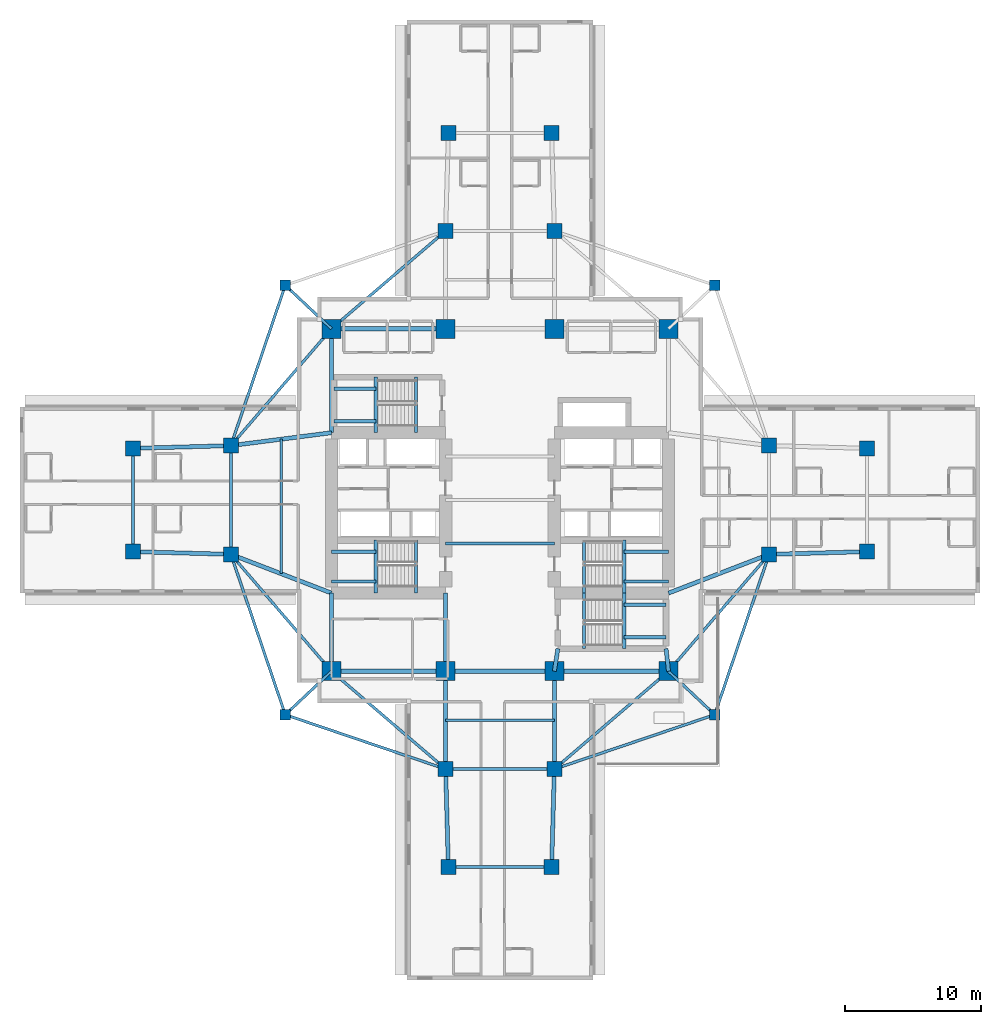
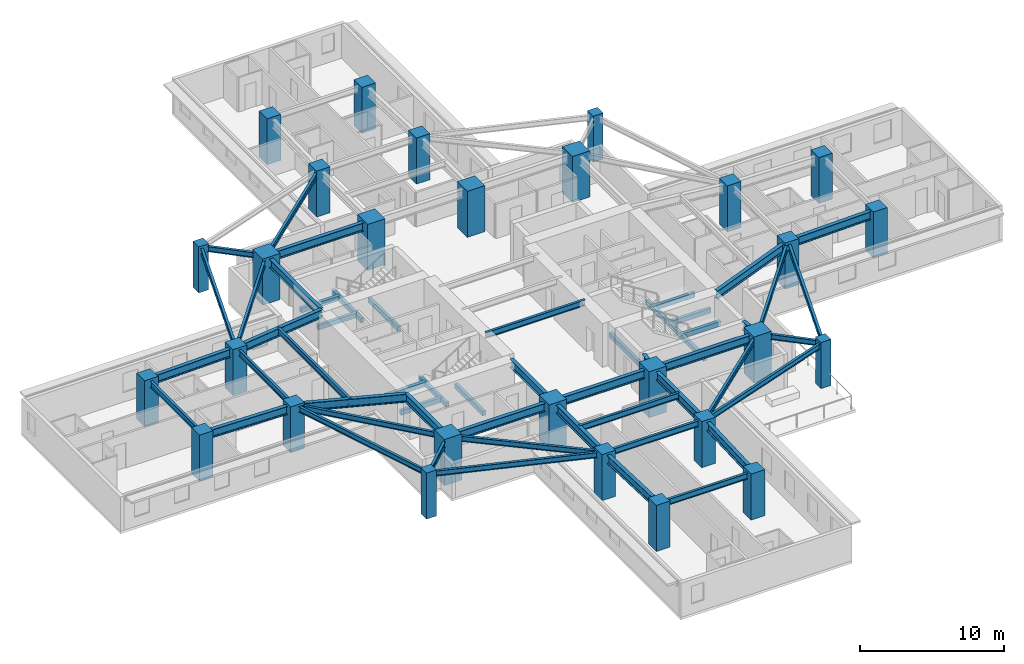
# One storey, part 1 of 13: 56 beams, 28 columns.
"""IFC4 building model written with IfcOpenShell, lengths in metres."""

import ifcopenshell
import ifcopenshell.guid

model = None  # the IFC model being written
_history = None  # IfcOwnerHistory: only IFC2X3 demands one
_inside = {}  # id of a spatial element -> (the spatial element, [elements in it])
_under = {}  # id of a project, library or spatial element -> (it, [spatial elements below it])
_declared = {}  # id of a project -> (the project, [libraries it declares])
_typed = {}  # id of a type object -> (the type object, [elements of that type])
_made_of = {}  # id of a material, layer set ... -> (it, [elements and type objects made of it])


def new_model(schema):
    """Start an empty IFC model of exactly this schema.

    Asked for "IFC4X3", IfcOpenShell would pick the latest addendum, in which some entities
    have other attributes; the version numbers below select the first issue.
    IFC2X3 requires an IfcOwnerHistory on every rooted entity: one is made here for all.
    """
    global model, _history
    if schema == "IFC4X3":
        model = ifcopenshell.file(schema_version=(4, 3, 0, 0))
    else:
        model = ifcopenshell.file(schema=schema)
    _inside.clear()
    _under.clear()
    _declared.clear()
    _typed.clear()
    _made_of.clear()
    _history = None
    if model.schema == "IFC2X3":
        org = make("IfcOrganization", Name="unknown")
        user = make(
            "IfcPersonAndOrganization",
            ThePerson=make("IfcPerson", FamilyName="unknown"),
            TheOrganization=org,
        )
        app = make(
            "IfcApplication",
            ApplicationDeveloper=org,
            Version="unknown",
            ApplicationFullName="unknown",
            ApplicationIdentifier="unknown",
        )
        _history = make(
            "IfcOwnerHistory",
            OwningUser=user,
            OwningApplication=app,
            ChangeAction="ADDED",
            CreationDate=0,
        )
    return model


def make(cls, **values):
    """One entity of the class cls with the attributes given. An attribute that is None is left unset."""
    return model.create_entity(
        cls, **{name: value for name, value in values.items() if value is not None}
    )


def rooted(cls, **values):
    """An entity with a GlobalId (a new one), such as an element, a storey or a relation."""
    return make(cls, GlobalId=ifcopenshell.guid.new(), OwnerHistory=_history, **values)


def si_unit(unit_type, name, prefix=None):
    """IfcSIUnit, for example si_unit("LENGTHUNIT", "METRE", prefix="MILLI")."""
    return make("IfcSIUnit", UnitType=unit_type, Prefix=prefix, Name=name)


def assignment(units):
    """IfcUnitAssignment: the units of a project."""
    return None if units is None else make("IfcUnitAssignment", Units=units)


def point(xyz):
    """IfcCartesianPoint."""
    return None if xyz is None else make("IfcCartesianPoint", Coordinates=xyz)


def direction(xyz):
    """IfcDirection."""
    return None if xyz is None else make("IfcDirection", DirectionRatios=xyz)


def frame(location, z_axis=None, x_axis=None):
    """IfcAxis2Placement3D, a coordinate frame: its origin and axes. An axis left out is left unset."""
    return make(
        "IfcAxis2Placement3D",
        Location=point(location),
        Axis=direction(z_axis),
        RefDirection=direction(x_axis),
    )


def frame_2d(location, x_axis=None):
    """IfcAxis2Placement2D, a coordinate frame in the plane: its origin and x axis."""
    return make(
        "IfcAxis2Placement2D", Location=point(location), RefDirection=direction(x_axis)
    )


def origin():
    """The frame at (0, 0, 0) with its axes left unset."""
    return frame((0.0, 0.0, 0.0))


def origin_2d():
    """The frame at (0, 0) in the plane with its x axis left unset."""
    return frame_2d((0.0, 0.0))


def place(relative_to, where):
    """IfcLocalPlacement: puts the frame where relative to a parent placement (None: the world)."""
    return make(
        "IfcLocalPlacement", PlacementRelTo=relative_to, RelativePlacement=where
    )


def context(
    kind, dimensions, precision=None, world=None, true_north=None, identifier=None
):
    """IfcGeometricRepresentationContext, for example the 3D "Model" context."""
    return make(
        "IfcGeometricRepresentationContext",
        ContextIdentifier=identifier,
        ContextType=kind,
        CoordinateSpaceDimension=dimensions,
        Precision=precision,
        WorldCoordinateSystem=world,
        TrueNorth=true_north,
    )


def subcontext(parent, identifier, kind, view, scale=None):
    """IfcGeometricRepresentationSubContext, for example "Body" below "Model"."""
    return make(
        "IfcGeometricRepresentationSubContext",
        ContextIdentifier=identifier,
        ContextType=kind,
        ParentContext=parent,
        TargetScale=scale,
        TargetView=view,
    )


def project(units=None, contexts=None):
    """IfcProject with its units and contexts."""
    return rooted(
        "IfcProject",
        Name="project",
        RepresentationContexts=contexts,
        UnitsInContext=assignment(units),
    )


def spatial(cls, under=None, at=None, **own):
    """A site, building, storey or space (cls), placed at a placement, below another one or the project."""
    s = rooted(cls, ObjectPlacement=at, **own)
    if under is not None:
        _under.setdefault(under.id(), (under, []))[1].append(s)
    return s


def profile(cls, at=None, kind="AREA", **sizes):
    """A parametric profile (cls). Its sizes go by their IFC names, for example OverallWidth=200.0."""
    return make(cls, ProfileType=kind, Position=at, **sizes)


def rectangle(**sizes):
    """IfcRectangleProfileDef."""
    return profile("IfcRectangleProfileDef", **sizes)


def i_section(**sizes):
    """IfcIShapeProfileDef."""
    return profile("IfcIShapeProfileDef", **sizes)


def extrude(swept, where, along, depth):
    """IfcExtrudedAreaSolid: the profile swept, set in the frame where, extruded along a direction by depth."""
    return make(
        "IfcExtrudedAreaSolid",
        SweptArea=swept,
        Position=where,
        ExtrudedDirection=direction(along),
        Depth=depth,
    )


def shape(context_of_items, identifier, shape_type, items):
    """IfcShapeRepresentation: the items that make up one representation, for example the "Body"."""
    return make(
        "IfcShapeRepresentation",
        ContextOfItems=context_of_items,
        RepresentationIdentifier=identifier,
        RepresentationType=shape_type,
        Items=items,
    )


def material(Name=None, Category=None):
    """IfcMaterial."""
    return make("IfcMaterial", Name=Name, Category=Category)


def material_profile(
    of_material, cross_section, Name=None, Category=None, Priority=None
):
    """IfcMaterialProfile: a cross section and its material."""
    return make(
        "IfcMaterialProfile",
        Name=Name,
        Material=of_material,
        Profile=cross_section,
        Priority=Priority,
        Category=Category,
    )


def profile_set(profiles, Name=None, composite=None):
    """IfcMaterialProfileSet."""
    return make(
        "IfcMaterialProfileSet",
        Name=Name,
        MaterialProfiles=profiles,
        CompositeProfile=composite,
    )


def made_of(thing, what):
    """Note that an element or type object is made of a material, layer set ...; save() writes the relation."""
    if what is not None:
        _made_of.setdefault(what.id(), (what, []))[1].append(thing)
    return thing


def type_object(cls, material=None, **own):
    """A type object (cls), such as IfcWallType, which elements share."""
    return made_of(rooted(cls, **own), material)


def element(
    cls,
    number,
    at=None,
    inside=None,
    cuts=None,
    type_object=None,
    material=None,
    context=None,
    identifier="Body",
    shape_type=None,
    held_by="IfcProductDefinitionShape",
    body=None,
    shapes=None,
    **own,
):
    """One element of the class cls, such as IfcWall. Its Tag is "e" and its number.

    at: its placement. inside: the storey or other place that contains it. cuts: it is an
    opening in that element (IfcRelVoidsElement). A single representation is given by context,
    identifier, shape_type and body (its items); several are given by shapes. held_by: the class
    of the entity that holds the representations. save() writes the other relations.
    """
    e = rooted(cls, Tag="e%d" % number, ObjectPlacement=at, **own)
    if body is not None:
        shapes = [shape(context, identifier, shape_type, body)]
    if shapes is not None:
        e.Representation = make(held_by, Representations=shapes)
    if inside is not None:
        _inside.setdefault(inside.id(), (inside, []))[1].append(e)
    if cuts is not None:
        rooted(
            "IfcRelVoidsElement", RelatingBuildingElement=cuts, RelatedOpeningElement=e
        )
    if type_object is not None:
        _typed.setdefault(type_object.id(), (type_object, []))[1].append(e)
    return made_of(e, material)


def aggregate(whole, parts):
    """IfcRelAggregates: a whole, such as a stair, and the parts it consists of."""
    return rooted("IfcRelAggregates", RelatingObject=whole, RelatedObjects=parts)


def save(model, path):
    """Write the relations noted so far, then the file.

    IfcRelAggregates (storeys below a building ...), IfcRelContainedInSpatialStructure (elements
    in a storey), IfcRelDefinesByType, IfcRelAssociatesMaterial and IfcRelDeclares: one each for
    every whole, place, type object, material and project.
    """
    for whole, parts in _under.values():
        aggregate(whole, parts)
    for where, things in _inside.values():
        rooted(
            "IfcRelContainedInSpatialStructure",
            RelatedElements=things,
            RelatingStructure=where,
        )
    for kind, things in _typed.values():
        rooted("IfcRelDefinesByType", RelatedObjects=things, RelatingType=kind)
    for what, things in _made_of.values():
        rooted("IfcRelAssociatesMaterial", RelatedObjects=things, RelatingMaterial=what)
    for by, libraries in _declared.values():
        rooted("IfcRelDeclares", RelatingContext=by, RelatedDefinitions=libraries)
    model.write(path)


model = new_model("IFC4")

# Units and contexts
model_context = context("Model", 3, precision=1e-05, world=origin(), true_north=direction((0.0, 1.0)))
body_context = subcontext(model_context, "Body", "Model", "MODEL_VIEW")
ifc_project = project(units=[si_unit("LENGTHUNIT", "METRE"), si_unit("AREAUNIT", "SQUARE_METRE"), si_unit("VOLUMEUNIT", "CUBIC_METRE"), si_unit("PLANEANGLEUNIT", "RADIAN"), si_unit("MASSUNIT", "GRAM", prefix="KILO")], contexts=[model_context])

# Site, building, storey
site_placement = place(None, origin())
site = spatial("IfcSite", under=ifc_project, at=site_placement, CompositionType="ELEMENT")
building_placement = place(site_placement, origin())
building = spatial("IfcBuilding", under=site, at=building_placement, Name="Qingluan Cross Belvedere", CompositionType="ELEMENT")
storey_placement = place(building_placement, frame((0.0, 0.0, 63.89990234375)))
storey = spatial("IfcBuildingStorey", under=building, at=storey_placement, Name="L16", CompositionType="ELEMENT", Elevation=63.89990234375)

# Columns
ifc_material_1 = material(Name="Concrete C60", Category="concrete")
ifc_material_profile_1 = material_profile(ifc_material_1, rectangle(XDim=1.10009765625, YDim=1.10009765625, at=origin_2d()), Name="RC1100x1100")
ifc_profile_set_1 = profile_set([ifc_material_profile_1], Name="Concrete C60")
column_type_1 = type_object("IfcColumnType", Name="Column_RC1100x1100", PredefinedType="COLUMN", material=ifc_profile_set_1)
for number, where, z_axis, x_axis, name in (
    (1, (19.800048828125, -4.0, 0.0), (0.0, 0.0, 1.0), (1.0, 0.0, 0.0), "Arm column L16-EIA"),
    (2, (19.800048828125, 4.0, 0.0), (0.0, 0.0, 1.0), (1.0, 0.0, 0.0), "Arm column L16-EIB"),
    (3, (-19.800048828125, -4.0, 0.0), (0.0, 0.0, 1.0), (1.0, 0.0, 0.0), "Arm column L16-WIA"),
    (4, (-19.800048828125, 4.0, 0.0), (0.0, 0.0, 1.0), (1.0, 0.0, 0.0), "Arm column L16-WIB"),
    (5, (-4.0, -19.800048828125, 0.0), (0.0, 0.0, 1.0), (1.0, 0.0, 0.0), "Arm column L16-SIA"),
    (6, (4.0, -19.800048828125, 0.0), (0.0, 0.0, 1.0), (1.0, 0.0, 0.0), "Arm column L16-SIB"),
    (7, (-4.0, 19.800048828125, 0.0), (0.0, 0.0, 1.0), (1.0, 0.0, 0.0), "Arm column L16-NIA"),
    (8, (4.0, 19.800048828125, 0.0), (0.0, 0.0, 1.0), (1.0, 0.0, 0.0), "Arm column L16-NIB"),
    (9, (27.0, -3.800048828125, 0.0), (0.0, 0.0, 1.0), (1.0, 0.0, 0.0), "Arm column L16-EOA"),
    (10, (27.0, 3.800048828125, 0.0), (0.0, 0.0, 1.0), (1.0, 0.0, 0.0), "Arm column L16-EOB"),
    (11, (-27.0, -3.800048828125, 0.0), (0.0, 0.0, 1.0), (1.0, 0.0, 0.0), "Arm column L16-WOA"),
    (12, (-27.0, 3.800048828125, 0.0), (0.0, 0.0, 1.0), (1.0, 0.0, 0.0), "Arm column L16-WOB"),
    (13, (-3.800048828125, -27.0, 0.0), (0.0, 0.0, 1.0), (1.0, 0.0, 0.0), "Arm column L16-SOA"),
    (14, (3.800048828125, -27.0, 0.0), (0.0, 0.0, 1.0), (1.0, 0.0, 0.0), "Arm column L16-SOB"),
    (15, (-3.800048828125, 27.0, 0.0), (0.0, 0.0, 1.0), (1.0, 0.0, 0.0), "Arm column L16-NOA"),
    (16, (3.800048828125, 27.0, 0.0), (0.0, 0.0, 1.0), (1.0, 0.0, 0.0), "Arm column L16-NOB"),
):
    element("IfcColumn", number, at=place(storey_placement, frame(where, z_axis=z_axis, x_axis=x_axis)), inside=storey, type_object=column_type_1, Name=name, PredefinedType="COLUMN", context=body_context, shape_type="SweptSolid", body=[
        extrude(rectangle(XDim=1.10009765625, YDim=1.10009765625, at=origin_2d()), origin(), (0.0, 0.0, 1.0), 3.900146484375),
    ])
ifc_material_2 = material(Name="Concrete C70", Category="concrete")
ifc_material_profile_2 = material_profile(ifc_material_2, rectangle(XDim=1.39990234375, YDim=1.39990234375, at=origin_2d()), Name="RC1400x1400")
ifc_profile_set_2 = profile_set([ifc_material_profile_2], Name="Concrete C70")
column_type_2 = type_object("IfcColumnType", Name="Column_RC1400x1400", PredefinedType="COLUMN", material=ifc_profile_set_2)
for number, where, z_axis, x_axis, name in (
    (17, (-12.39990234375, -12.60009765625, 0.0), (0.0, 0.0, 1.0), (1.0, 0.0, 0.0), "Hub column L16-HC1"),
    (18, (12.39990234375, -12.60009765625, 0.0), (0.0, 0.0, 1.0), (1.0, 0.0, 0.0), "Hub column L16-HC2"),
    (19, (12.39990234375, 12.60009765625, 0.0), (0.0, 0.0, 1.0), (1.0, 0.0, 0.0), "Hub column L16-HC3"),
    (20, (-12.39990234375, 12.60009765625, 0.0), (0.0, 0.0, 1.0), (1.0, 0.0, 0.0), "Hub column L16-HC4"),
    (21, (-4.0, -12.60009765625, 0.0), (0.0, 0.0, 1.0), (1.0, 0.0, 0.0), "Hub column L16-HC5"),
    (22, (4.0, -12.60009765625, 0.0), (0.0, 0.0, 1.0), (1.0, 0.0, 0.0), "Hub column L16-HC6"),
    (23, (4.0, 12.60009765625, 0.0), (0.0, 0.0, 1.0), (1.0, 0.0, 0.0), "Hub column L16-HC7"),
    (24, (-4.0, 12.60009765625, 0.0), (0.0, 0.0, 1.0), (1.0, 0.0, 0.0), "Hub column L16-HC8"),
):
    element("IfcColumn", number, at=place(storey_placement, frame(where, z_axis=z_axis, x_axis=x_axis)), inside=storey, type_object=column_type_2, Name=name, PredefinedType="COLUMN", context=body_context, shape_type="SweptSolid", body=[
        extrude(rectangle(XDim=1.39990234375, YDim=1.39990234375, at=origin_2d()), origin(), (0.0, 0.0, 1.0), 3.900146484375),
    ])
ifc_material_3 = material(Name="Concrete C50", Category="concrete")
ifc_material_profile_3 = material_profile(ifc_material_3, rectangle(XDim=0.800048828125, YDim=0.800048828125, at=origin_2d()), Name="RC800x800")
ifc_profile_set_3 = profile_set([ifc_material_profile_3], Name="Concrete C50")
column_type_3 = type_object("IfcColumnType", Name="Column_RC800x800", PredefinedType="COLUMN", material=ifc_profile_set_3)
for number, where, z_axis, x_axis, name in (
    (25, (15.800048828125, 15.800048828125, 0.0), (0.0, 0.0, 1.0), (1.0, 0.0, 0.0), "Corner column L16-RNE"),
    (26, (-15.800048828125, 15.800048828125, 0.0), (0.0, 0.0, 1.0), (1.0, 0.0, 0.0), "Corner column L16-RNW"),
    (27, (-15.800048828125, -15.800048828125, 0.0), (0.0, 0.0, 1.0), (1.0, 0.0, 0.0), "Corner column L16-RSW"),
    (28, (15.800048828125, -15.800048828125, 0.0), (0.0, 0.0, 1.0), (1.0, 0.0, 0.0), "Corner column L16-RSE"),
):
    element("IfcColumn", number, at=place(storey_placement, frame(where, z_axis=z_axis, x_axis=x_axis)), inside=storey, type_object=column_type_3, Name=name, PredefinedType="COLUMN", context=body_context, shape_type="SweptSolid", body=[
        extrude(rectangle(XDim=0.800048828125, YDim=0.800048828125, at=origin_2d()), origin(), (0.0, 0.0, 1.0), 3.900146484375),
    ])

# Beams
ifc_material_4 = material(Name="Concrete C45", Category="concrete")
ifc_material_profile_4 = material_profile(ifc_material_4, rectangle(XDim=0.25, YDim=0.39990234375, at=origin_2d()), Name="RC250x400")
ifc_profile_set_4 = profile_set([ifc_material_profile_4], Name="Concrete C45")
beam_type_1 = type_object("IfcBeamType", Name="RC_Lintel_RC250x400", PredefinedType="LINTEL", material=ifc_profile_set_4)
for number, where, z_axis, x_axis, name in (
    (29, (-6.179931640625, -6.85009765625, -0.199951171875), (0.0, 1.0, 0.0), (-1.0, 0.0, 0.0), "Stair ST1 landing beam L16"),
    (30, (6.179931640625, -6.85009765625, -0.199951171875), (0.0, 1.0, 0.0), (-1.0, 0.0, 0.0), "Stair ST2 landing beam L16"),
):
    element("IfcBeam", number, at=place(storey_placement, frame(where, z_axis=z_axis, x_axis=x_axis)), inside=storey, type_object=beam_type_1, Name=name, PredefinedType="LINTEL", context=body_context, shape_type="SweptSolid", body=[
        extrude(rectangle(XDim=0.25, YDim=0.39990234375, at=origin_2d()), origin(), (0.0, 0.0, 1.0), 3.89013671875),
    ])
beam_1_placement = place(storey_placement, frame((-6.179931640625, 4.949951171875, -0.199951171875), z_axis=(0.0, 1.0, 0.0), x_axis=(-1.0, 0.0, 0.0)))
element("IfcBeam", 31, at=beam_1_placement, inside=storey, type_object=beam_type_1, Name="Stair ST3 landing beam L16", PredefinedType="LINTEL", context=body_context, shape_type="SweptSolid", body=[
    extrude(rectangle(XDim=0.25, YDim=0.39990234375, at=origin_2d()), origin(), (0.0, 0.0, 1.0), 4.090087890625),
])
beam_2_placement = place(storey_placement, frame((6.179931640625, -10.93994140625, -0.199951171875), z_axis=(0.0, 1.0, 0.0), x_axis=(-1.0, 0.0, 0.0)))
element("IfcBeam", 32, at=beam_2_placement, inside=storey, type_object=beam_type_1, Name="Stair ST4 landing beam L16", PredefinedType="LINTEL", context=body_context, shape_type="SweptSolid", body=[
    extrude(rectangle(XDim=0.25, YDim=0.39990234375, at=origin_2d()), origin(), (0.0, 0.0, 1.0), 4.08984375),
])
beam_3_placement = place(storey_placement, frame((-9.1298828125, -6.85009765625, 1.550048828125), z_axis=(0.0, 1.0, 0.0), x_axis=(-1.0, 0.0, 0.0)))
element("IfcBeam", 33, at=beam_3_placement, inside=storey, type_object=beam_type_1, Name="Stair ST1 beam A L16", PredefinedType="LINTEL", context=body_context, shape_type="SweptSolid", body=[
    extrude(rectangle(XDim=0.25, YDim=0.39990234375, at=origin_2d()), origin(), (0.0, 0.0, 1.0), 3.89013671875),
])
for number, where, z_axis, x_axis, name in (
    (34, (-12.39990234375, -6.0, 1.550048828125), (1.0, 0.0, 0.0), (0.0, 1.0, 0.0), "Stair ST1 beam B L16"),
    (35, (-12.39990234375, -3.81005859375, 1.550048828125), (1.0, 0.0, 0.0), (0.0, 1.0, 0.0), "Stair ST1 beam C L16"),
):
    element("IfcBeam", number, at=place(storey_placement, frame(where, z_axis=z_axis, x_axis=x_axis)), inside=storey, type_object=beam_type_1, Name=name, PredefinedType="LINTEL", context=body_context, shape_type="SweptSolid", body=[
        extrude(rectangle(XDim=0.25, YDim=0.39990234375, at=origin_2d()), origin(), (0.0, 0.0, 1.0), 3.27001953125),
    ])
beam_4_placement = place(storey_placement, frame((9.1298828125, -6.85009765625, 1.550048828125), z_axis=(0.0, 1.0, 0.0), x_axis=(-1.0, 0.0, 0.0)))
element("IfcBeam", 36, at=beam_4_placement, inside=storey, type_object=beam_type_1, Name="Stair ST2 beam A L16", PredefinedType="LINTEL", context=body_context, shape_type="SweptSolid", body=[
    extrude(rectangle(XDim=0.25, YDim=0.39990234375, at=origin_2d()), origin(), (0.0, 0.0, 1.0), 3.89013671875),
])
for number, where, z_axis, x_axis, name in (
    (37, (12.39990234375, -6.0, 1.550048828125), (-1.0, 0.0, 0.0), (0.0, -1.0, 0.0), "Stair ST2 beam B L16"),
    (38, (12.39990234375, -3.81005859375, 1.550048828125), (-1.0, 0.0, 0.0), (0.0, -1.0, 0.0), "Stair ST2 beam C L16"),
):
    element("IfcBeam", number, at=place(storey_placement, frame(where, z_axis=z_axis, x_axis=x_axis)), inside=storey, type_object=beam_type_1, Name=name, PredefinedType="LINTEL", context=body_context, shape_type="SweptSolid", body=[
        extrude(rectangle(XDim=0.25, YDim=0.39990234375, at=origin_2d()), origin(), (0.0, 0.0, 1.0), 3.27001953125),
    ])
beam_5_placement = place(storey_placement, frame((-9.1298828125, 4.949951171875, 1.550048828125), z_axis=(0.0, 1.0, 0.0), x_axis=(-1.0, 0.0, 0.0)))
element("IfcBeam", 39, at=beam_5_placement, inside=storey, type_object=beam_type_1, Name="Stair ST3 beam A L16", PredefinedType="LINTEL", context=body_context, shape_type="SweptSolid", body=[
    extrude(rectangle(XDim=0.25, YDim=0.39990234375, at=origin_2d()), origin(), (0.0, 0.0, 1.0), 4.090087890625),
])
for number, where, z_axis, x_axis, name in (
    (40, (-12.219970703125, 5.800048828125, 1.550048828125), (1.0, 0.0, 0.0), (0.0, 1.0, 0.0), "Stair ST3 beam B L16"),
    (41, (-12.219970703125, 8.18994140625, 1.550048828125), (1.0, 0.0, 0.0), (0.0, 1.0, 0.0), "Stair ST3 beam C L16"),
):
    element("IfcBeam", number, at=place(storey_placement, frame(where, z_axis=z_axis, x_axis=x_axis)), inside=storey, type_object=beam_type_1, Name=name, PredefinedType="LINTEL", context=body_context, shape_type="SweptSolid", body=[
        extrude(rectangle(XDim=0.25, YDim=0.39990234375, at=origin_2d()), origin(), (0.0, 0.0, 1.0), 3.090087890625),
    ])
beam_6_placement = place(storey_placement, frame((9.1298828125, -10.93994140625, 1.550048828125), z_axis=(0.0, 1.0, 0.0), x_axis=(-1.0, 0.0, 0.0)))
element("IfcBeam", 42, at=beam_6_placement, inside=storey, type_object=beam_type_1, Name="Stair ST4 beam A L16", PredefinedType="LINTEL", context=body_context, shape_type="SweptSolid", body=[
    extrude(rectangle(XDim=0.25, YDim=0.39990234375, at=origin_2d()), origin(), (0.0, 0.0, 1.0), 4.08984375),
])
for number, where, z_axis, x_axis, name in (
    (43, (12.219970703125, -10.090087890625, 1.550048828125), (-1.0, 0.0, 0.0), (0.0, -1.0, 0.0), "Stair ST4 beam B L16"),
    (44, (12.219970703125, -7.699951171875, 1.550048828125), (-1.0, 0.0, 0.0), (0.0, -1.0, 0.0), "Stair ST4 beam C L16"),
):
    element("IfcBeam", number, at=place(storey_placement, frame(where, z_axis=z_axis, x_axis=x_axis)), inside=storey, type_object=beam_type_1, Name=name, PredefinedType="LINTEL", context=body_context, shape_type="SweptSolid", body=[
        extrude(rectangle(XDim=0.25, YDim=0.39990234375, at=origin_2d()), origin(), (0.0, 0.0, 1.0), 3.090087890625),
    ])
ifc_material_5 = material(Name="Steel Q420GJB", Category="steel")
ifc_material_profile_5 = material_profile(ifc_material_5, i_section(OverallWidth=0.199951171875, OverallDepth=0.449951171875, WebThickness=0.009033203125, FlangeThickness=0.013916015625, FilletRadius=0.01611328125, at=origin_2d()), Name="HN450x200x9x14")
ifc_profile_set_5 = profile_set([ifc_material_profile_5], Name="Steel Q420GJB")
beam_type_2 = type_object("IfcBeamType", Name="Steel_Beam_HN450x200x9x14", PredefinedType="JOIST", material=ifc_profile_set_5)
beam_7_placement = place(storey_placement, frame((-12.39990234375, 12.60009765625, 3.47509765625), z_axis=(-0.728219948308, 0.685343495546, 0.0), x_axis=(-0.685343495546, -0.728219948308, 0.0)))
element("IfcBeam", 45, at=beam_7_placement, inside=storey, type_object=beam_type_2, Name="Corner beam 1 L16-RNW", PredefinedType="JOIST", context=body_context, shape_type="SweptSolid", body=[
    extrude(i_section(OverallWidth=0.199951171875, OverallDepth=0.449951171875, WebThickness=0.009033203125, FlangeThickness=0.013916015625, FilletRadius=0.01611328125, at=origin_2d()), origin(), (0.0, 0.0, 1.0), 4.669189453125),
])
beam_8_placement = place(storey_placement, frame((-15.800048828125, 15.800048828125, 3.47509765625), z_axis=(-0.321038089628, -0.947066283324, 0.0), x_axis=(0.947066283324, -0.321038089628, 0.0)))
element("IfcBeam", 46, at=beam_8_placement, inside=storey, type_object=beam_type_2, Name="Corner beam 3 L16-RNW", PredefinedType="JOIST", context=body_context, shape_type="SweptSolid", body=[
    extrude(i_section(OverallWidth=0.199951171875, OverallDepth=0.449951171875, WebThickness=0.009033203125, FlangeThickness=0.013916015625, FilletRadius=0.01611328125, at=origin_2d()), origin(), (0.0, 0.0, 1.0), 12.45947265625),
])
beam_9_placement = place(storey_placement, frame((-12.39990234375, 12.60009765625, 3.47509765625), z_axis=(-0.652245077546, -0.75800815221, 0.0), x_axis=(0.75800815221, -0.652245077546, 0.0)))
element("IfcBeam", 47, at=beam_9_placement, inside=storey, type_object=beam_type_2, Name="Corner beam 4 L16-RNW", PredefinedType="JOIST", context=body_context, shape_type="SweptSolid", body=[
    extrude(i_section(OverallWidth=0.199951171875, OverallDepth=0.449951171875, WebThickness=0.009033203125, FlangeThickness=0.013916015625, FilletRadius=0.01611328125, at=origin_2d()), origin(), (0.0, 0.0, 1.0), 11.345703125),
])
beam_10_placement = place(storey_placement, frame((-12.39990234375, 12.60009765625, 3.47509765625), z_axis=(0.759255044656, 0.650793190779, 0.0), x_axis=(-0.650793190779, 0.759255044656, 0.0)))
element("IfcBeam", 48, at=beam_10_placement, inside=storey, type_object=beam_type_2, Name="Corner beam 5 L16-RNW", PredefinedType="JOIST", context=body_context, shape_type="SweptSolid", body=[
    extrude(i_section(OverallWidth=0.199951171875, OverallDepth=0.449951171875, WebThickness=0.009033203125, FlangeThickness=0.013916015625, FilletRadius=0.01611328125, at=origin_2d()), origin(), (0.0, 0.0, 1.0), 11.063232421875),
])
beam_11_placement = place(storey_placement, frame((-12.39990234375, -12.60009765625, 3.47509765625), z_axis=(-0.728219948308, -0.685343495546, 0.0), x_axis=(0.685343495546, -0.728219948308, 0.0)))
element("IfcBeam", 49, at=beam_11_placement, inside=storey, type_object=beam_type_2, Name="Corner beam 1 L16-RSW", PredefinedType="JOIST", context=body_context, shape_type="SweptSolid", body=[
    extrude(i_section(OverallWidth=0.199951171875, OverallDepth=0.449951171875, WebThickness=0.009033203125, FlangeThickness=0.013916015625, FilletRadius=0.01611328125, at=origin_2d()), origin(), (0.0, 0.0, 1.0), 4.669189453125),
])
for number, where, z_axis, x_axis, name in (
    (50, (-15.800048828125, -15.800048828125, 3.47509765625), (0.947066283324, -0.321038089628, 0.0), (0.321038089628, 0.947066283324, 0.0), "Corner beam 2 L16-RSW"),
    (51, (-15.800048828125, -15.800048828125, 3.47509765625), (-0.321038089628, 0.947066283324, 0.0), (-0.947066283324, -0.321038089628, 0.0), "Corner beam 3 L16-RSW"),
):
    element("IfcBeam", number, at=place(storey_placement, frame(where, z_axis=z_axis, x_axis=x_axis)), inside=storey, type_object=beam_type_2, Name=name, PredefinedType="JOIST", context=body_context, shape_type="SweptSolid", body=[
        extrude(i_section(OverallWidth=0.199951171875, OverallDepth=0.449951171875, WebThickness=0.009033203125, FlangeThickness=0.013916015625, FilletRadius=0.01611328125, at=origin_2d()), origin(), (0.0, 0.0, 1.0), 12.45947265625),
    ])
beam_12_placement = place(storey_placement, frame((-12.39990234375, -12.60009765625, 3.47509765625), z_axis=(-0.652245077546, 0.75800815221, 0.0), x_axis=(-0.75800815221, -0.652245077546, 0.0)))
element("IfcBeam", 52, at=beam_12_placement, inside=storey, type_object=beam_type_2, Name="Corner beam 4 L16-RSW", PredefinedType="JOIST", context=body_context, shape_type="SweptSolid", body=[
    extrude(i_section(OverallWidth=0.199951171875, OverallDepth=0.449951171875, WebThickness=0.009033203125, FlangeThickness=0.013916015625, FilletRadius=0.01611328125, at=origin_2d()), origin(), (0.0, 0.0, 1.0), 11.345703125),
])
beam_13_placement = place(storey_placement, frame((-12.39990234375, -12.60009765625, 3.47509765625), z_axis=(0.759255044656, -0.650793190779, 0.0), x_axis=(0.650793190779, 0.759255044656, 0.0)))
element("IfcBeam", 53, at=beam_13_placement, inside=storey, type_object=beam_type_2, Name="Corner beam 5 L16-RSW", PredefinedType="JOIST", context=body_context, shape_type="SweptSolid", body=[
    extrude(i_section(OverallWidth=0.199951171875, OverallDepth=0.449951171875, WebThickness=0.009033203125, FlangeThickness=0.013916015625, FilletRadius=0.01611328125, at=origin_2d()), origin(), (0.0, 0.0, 1.0), 11.063232421875),
])
beam_14_placement = place(storey_placement, frame((12.39990234375, -12.60009765625, 3.455078125), z_axis=(0.728219948308, -0.685343495546, 0.0), x_axis=(0.685343495546, 0.728219948308, 0.0)))
element("IfcBeam", 54, at=beam_14_placement, inside=storey, type_object=beam_type_2, Name="Corner beam 1 L16-RSE", PredefinedType="JOIST", context=body_context, shape_type="SweptSolid", body=[
    extrude(i_section(OverallWidth=0.199951171875, OverallDepth=0.449951171875, WebThickness=0.009033203125, FlangeThickness=0.013916015625, FilletRadius=0.01611328125, at=origin_2d()), origin(), (0.0, 0.0, 1.0), 4.669189453125),
])
for number, where, z_axis, x_axis, name in (
    (55, (15.800048828125, -15.800048828125, 3.455078125), (-0.947066283324, -0.321038089628, 0.0), (0.321038089628, -0.947066283324, 0.0), "Corner beam 2 L16-RSE"),
    (56, (15.800048828125, -15.800048828125, 3.455078125), (0.321038089628, 0.947066283324, 0.0), (-0.947066283324, 0.321038089628, 0.0), "Corner beam 3 L16-RSE"),
):
    element("IfcBeam", number, at=place(storey_placement, frame(where, z_axis=z_axis, x_axis=x_axis)), inside=storey, type_object=beam_type_2, Name=name, PredefinedType="JOIST", context=body_context, shape_type="SweptSolid", body=[
        extrude(i_section(OverallWidth=0.199951171875, OverallDepth=0.449951171875, WebThickness=0.009033203125, FlangeThickness=0.013916015625, FilletRadius=0.01611328125, at=origin_2d()), origin(), (0.0, 0.0, 1.0), 12.45947265625),
    ])
beam_15_placement = place(storey_placement, frame((12.39990234375, -12.60009765625, 3.455078125), z_axis=(0.652245077546, 0.75800815221, 0.0), x_axis=(-0.75800815221, 0.652245077546, 0.0)))
element("IfcBeam", 57, at=beam_15_placement, inside=storey, type_object=beam_type_2, Name="Corner beam 4 L16-RSE", PredefinedType="JOIST", context=body_context, shape_type="SweptSolid", body=[
    extrude(i_section(OverallWidth=0.199951171875, OverallDepth=0.449951171875, WebThickness=0.009033203125, FlangeThickness=0.013916015625, FilletRadius=0.01611328125, at=origin_2d()), origin(), (0.0, 0.0, 1.0), 11.345703125),
])
beam_16_placement = place(storey_placement, frame((12.39990234375, -12.60009765625, 3.455078125), z_axis=(-0.759255044656, -0.650793190779, 0.0), x_axis=(0.650793190779, -0.759255044656, 0.0)))
element("IfcBeam", 58, at=beam_16_placement, inside=storey, type_object=beam_type_2, Name="Corner beam 5 L16-RSE", PredefinedType="JOIST", context=body_context, shape_type="SweptSolid", body=[
    extrude(i_section(OverallWidth=0.199951171875, OverallDepth=0.449951171875, WebThickness=0.009033203125, FlangeThickness=0.013916015625, FilletRadius=0.01611328125, at=origin_2d()), origin(), (0.0, 0.0, 1.0), 11.063232421875),
])
ifc_material_6 = material(Name="Steel Q420GJB", Category="steel")
ifc_material_profile_6 = material_profile(ifc_material_6, i_section(OverallWidth=0.199951171875, OverallDepth=0.5, WebThickness=0.010009765625, FlangeThickness=0.01611328125, FilletRadius=0.01611328125, at=origin_2d()), Name="HN500x200x10x16")
ifc_profile_set_6 = profile_set([ifc_material_profile_6], Name="Steel Q420GJB")
beam_type_3 = type_object("IfcBeamType", Name="Steel_Beam_HN500x200x10x16", PredefinedType="JOIST", material=ifc_profile_set_6)
for number, where, z_axis, x_axis, name in (
    (59, (-4.0, -3.199951171875, 3.4501953125), (1.0, 0.0, 0.0), (0.0, 1.0, 0.0), "Hall beam L16-CH1"),
    (60, (-19.800048828125, -4.0, 3.4501953125), (0.0, 1.0, 0.0), (-1.0, 0.0, 0.0), "Arm W tie L16"),
):
    element("IfcBeam", number, at=place(storey_placement, frame(where, z_axis=z_axis, x_axis=x_axis)), inside=storey, type_object=beam_type_3, Name=name, PredefinedType="JOIST", context=body_context, shape_type="SweptSolid", body=[
        extrude(i_section(OverallWidth=0.199951171875, OverallDepth=0.5, WebThickness=0.010009765625, FlangeThickness=0.01611328125, FilletRadius=0.01611328125, at=origin_2d()), origin(), (0.0, 0.0, 1.0), 8.0),
    ])
beam_17_placement = place(storey_placement, frame((-16.10009765625, -5.425048828125, 3.4501953125), z_axis=(0.0, 1.0, 0.0), x_axis=(-1.0, 0.0, 0.0)))
element("IfcBeam", 61, at=beam_17_placement, inside=storey, type_object=beam_type_3, Name="Arm W beam L16", PredefinedType="JOIST", context=body_context, shape_type="SweptSolid", body=[
    extrude(i_section(OverallWidth=0.199951171875, OverallDepth=0.5, WebThickness=0.010009765625, FlangeThickness=0.01611328125, FilletRadius=0.01611328125, at=origin_2d()), origin(), (0.0, 0.0, 1.0), 9.900146484375),
])
beam_18_placement = place(storey_placement, frame((-27.0, -3.800048828125, 3.4501953125), z_axis=(0.0, 1.0, 0.0), x_axis=(-1.0, 0.0, 0.0)))
element("IfcBeam", 62, at=beam_18_placement, inside=storey, type_object=beam_type_3, Name="Arm W tip transverse beam L16", PredefinedType="JOIST", context=body_context, shape_type="SweptSolid", body=[
    extrude(i_section(OverallWidth=0.199951171875, OverallDepth=0.5, WebThickness=0.010009765625, FlangeThickness=0.01611328125, FilletRadius=0.01611328125, at=origin_2d()), origin(), (0.0, 0.0, 1.0), 7.60009765625),
])
for number, where, z_axis, x_axis, name in (
    (63, (-4.0, -19.800048828125, 3.4501953125), (1.0, 0.0, 0.0), (0.0, 1.0, 0.0), "Arm S tie L16"),
    (64, (-4.0, -16.199951171875, 3.4501953125), (1.0, 0.0, 0.0), (0.0, 1.0, 0.0), "Arm S beam L16"),
):
    element("IfcBeam", number, at=place(storey_placement, frame(where, z_axis=z_axis, x_axis=x_axis)), inside=storey, type_object=beam_type_3, Name=name, PredefinedType="JOIST", context=body_context, shape_type="SweptSolid", body=[
        extrude(i_section(OverallWidth=0.199951171875, OverallDepth=0.5, WebThickness=0.010009765625, FlangeThickness=0.01611328125, FilletRadius=0.01611328125, at=origin_2d()), origin(), (0.0, 0.0, 1.0), 8.0),
    ])
beam_19_placement = place(storey_placement, frame((-3.800048828125, -27.0, 3.4501953125), z_axis=(1.0, 0.0, 0.0), x_axis=(0.0, 1.0, 0.0)))
element("IfcBeam", 65, at=beam_19_placement, inside=storey, type_object=beam_type_3, Name="Arm S tip transverse beam L16", PredefinedType="JOIST", context=body_context, shape_type="SweptSolid", body=[
    extrude(i_section(OverallWidth=0.199951171875, OverallDepth=0.5, WebThickness=0.010009765625, FlangeThickness=0.01611328125, FilletRadius=0.01611328125, at=origin_2d()), origin(), (0.0, 0.0, 1.0), 7.60009765625),
])
ifc_material_7 = material(Name="Steel Q420GJB", Category="steel")
ifc_material_profile_7 = material_profile(ifc_material_7, i_section(OverallWidth=0.300048828125, OverallDepth=0.699951171875, WebThickness=0.014892578125, FlangeThickness=0.027099609375, FilletRadius=0.027099609375, at=origin_2d()), Name="HEB700")
ifc_profile_set_7 = profile_set([ifc_material_profile_7], Name="Steel Q420GJB")
beam_type_4 = type_object("IfcBeamType", Name="Steel_Girder_HEB700", PredefinedType="USERDEFINED", material=ifc_profile_set_7)
beam_20_placement = place(storey_placement, frame((-12.39990234375, -12.60009765625, 3.35009765625), z_axis=(1.0, 0.0, 0.0), x_axis=(0.0, 1.0, 0.0)))
element("IfcBeam", 66, at=beam_20_placement, inside=storey, type_object=beam_type_4, Name="Hub girder L16-HG-S1", ObjectType="GIRDER", PredefinedType="USERDEFINED", context=body_context, shape_type="SweptSolid", body=[
    extrude(i_section(OverallWidth=0.300048828125, OverallDepth=0.699951171875, WebThickness=0.014892578125, FlangeThickness=0.027099609375, FilletRadius=0.027099609375, at=origin_2d()), origin(), (0.0, 0.0, 1.0), 8.39990234375),
])
beam_21_placement = place(storey_placement, frame((-4.0, -12.60009765625, 3.35009765625), z_axis=(1.0, 0.0, 0.0), x_axis=(0.0, 1.0, 0.0)))
element("IfcBeam", 67, at=beam_21_placement, inside=storey, type_object=beam_type_4, Name="Hub girder L16-HG-S2", ObjectType="GIRDER", PredefinedType="USERDEFINED", context=body_context, shape_type="SweptSolid", body=[
    extrude(i_section(OverallWidth=0.300048828125, OverallDepth=0.699951171875, WebThickness=0.014892578125, FlangeThickness=0.027099609375, FilletRadius=0.027099609375, at=origin_2d()), origin(), (0.0, 0.0, 1.0), 8.0),
])
for number, where, z_axis, x_axis, name in (
    (68, (4.0, -12.60009765625, 3.35009765625), (1.0, 0.0, 0.0), (0.0, 1.0, 0.0), "Hub girder L16-HG-S3"),
    (69, (-12.39990234375, 12.60009765625, 3.35009765625), (1.0, 0.0, 0.0), (0.0, 1.0, 0.0), "Hub girder L16-HG-N1"),
):
    element("IfcBeam", number, at=place(storey_placement, frame(where, z_axis=z_axis, x_axis=x_axis)), inside=storey, type_object=beam_type_4, Name=name, ObjectType="GIRDER", PredefinedType="USERDEFINED", context=body_context, shape_type="SweptSolid", body=[
        extrude(i_section(OverallWidth=0.300048828125, OverallDepth=0.699951171875, WebThickness=0.014892578125, FlangeThickness=0.027099609375, FilletRadius=0.027099609375, at=origin_2d()), origin(), (0.0, 0.0, 1.0), 8.39990234375),
    ])
beam_22_placement = place(storey_placement, frame((-12.39990234375, -12.60009765625, 3.35009765625), z_axis=(0.0, 1.0, 0.0), x_axis=(-1.0, 0.0, 0.0)))
element("IfcBeam", 70, at=beam_22_placement, inside=storey, type_object=beam_type_4, Name="Hub girder L16-HG-W1", ObjectType="GIRDER", PredefinedType="USERDEFINED", context=body_context, shape_type="SweptSolid", body=[
    extrude(i_section(OverallWidth=0.300048828125, OverallDepth=0.699951171875, WebThickness=0.014892578125, FlangeThickness=0.027099609375, FilletRadius=0.027099609375, at=origin_2d()), origin(), (0.0, 0.0, 1.0), 5.75),
])
beam_23_placement = place(storey_placement, frame((-12.39990234375, 4.949951171875, 3.35009765625), z_axis=(0.0, 1.0, 0.0), x_axis=(-1.0, 0.0, 0.0)))
element("IfcBeam", 71, at=beam_23_placement, inside=storey, type_object=beam_type_4, Name="Hub girder L16-HG-W2", ObjectType="GIRDER", PredefinedType="USERDEFINED", context=body_context, shape_type="SweptSolid", body=[
    extrude(i_section(OverallWidth=0.300048828125, OverallDepth=0.699951171875, WebThickness=0.014892578125, FlangeThickness=0.027099609375, FilletRadius=0.027099609375, at=origin_2d()), origin(), (0.0, 0.0, 1.0), 7.650146484375),
])
beam_24_placement = place(storey_placement, frame((12.39990234375, -12.60009765625, 3.35009765625), z_axis=(-0.107751337451, 0.994177876075, 0.0), x_axis=(-0.994177876075, -0.107751337451, 0.0)))
element("IfcBeam", 72, at=beam_24_placement, inside=storey, type_object=beam_type_4, Name="Hub girder L16-HG-E1", ObjectType="GIRDER", PredefinedType="USERDEFINED", context=body_context, shape_type="SweptSolid", body=[
    extrude(i_section(OverallWidth=0.300048828125, OverallDepth=0.699951171875, WebThickness=0.014892578125, FlangeThickness=0.027099609375, FilletRadius=0.027099609375, at=origin_2d()), origin(), (0.0, 0.0, 1.0), 1.669921875),
])
beam_25_placement = place(storey_placement, frame((-4.0, -12.60009765625, 3.35009765625), z_axis=(0.0, 1.0, 0.0), x_axis=(-1.0, 0.0, 0.0)))
element("IfcBeam", 73, at=beam_25_placement, inside=storey, type_object=beam_type_4, Name="Hub girder L16-HG-CW", ObjectType="GIRDER", PredefinedType="USERDEFINED", context=body_context, shape_type="SweptSolid", body=[
    extrude(i_section(OverallWidth=0.300048828125, OverallDepth=0.699951171875, WebThickness=0.014892578125, FlangeThickness=0.027099609375, FilletRadius=0.027099609375, at=origin_2d()), origin(), (0.0, 0.0, 1.0), 5.75),
])
beam_26_placement = place(storey_placement, frame((4.0, -12.60009765625, 3.35009765625), z_axis=(0.154731433337, 0.987956569662, 0.0), x_axis=(-0.987956569662, 0.154731433337, 0.0)))
element("IfcBeam", 74, at=beam_26_placement, inside=storey, type_object=beam_type_4, Name="Hub girder L16-HG-CE", ObjectType="GIRDER", PredefinedType="USERDEFINED", context=body_context, shape_type="SweptSolid", body=[
    extrude(i_section(OverallWidth=0.300048828125, OverallDepth=0.699951171875, WebThickness=0.014892578125, FlangeThickness=0.027099609375, FilletRadius=0.027099609375, at=origin_2d()), origin(), (0.0, 0.0, 1.0), 1.680419921875),
])
beam_27_placement = place(storey_placement, frame((12.39990234375, -6.85009765625, 3.35009765625), z_axis=(0.933181258889, 0.359406090735, 0.0), x_axis=(-0.359406090735, 0.933181258889, 0.0)))
element("IfcBeam", 75, at=beam_27_placement, inside=storey, type_object=beam_type_4, Name="Arm E radial girder A L16", ObjectType="GIRDER", PredefinedType="USERDEFINED", context=body_context, shape_type="SweptSolid", body=[
    extrude(i_section(OverallWidth=0.300048828125, OverallDepth=0.699951171875, WebThickness=0.014892578125, FlangeThickness=0.027099609375, FilletRadius=0.027099609375, at=origin_2d()), origin(), (0.0, 0.0, 1.0), 7.929931640625),
])
beam_28_placement = place(storey_placement, frame((19.800048828125, -4.0, 3.35009765625), z_axis=(0.999614603568, 0.027760481514, 0.0), x_axis=(-0.027760481514, 0.999614603568, 0.0)))
element("IfcBeam", 76, at=beam_28_placement, inside=storey, type_object=beam_type_4, Name="Arm E outer radial girder A L16", ObjectType="GIRDER", PredefinedType="USERDEFINED", context=body_context, shape_type="SweptSolid", body=[
    extrude(i_section(OverallWidth=0.300048828125, OverallDepth=0.699951171875, WebThickness=0.014892578125, FlangeThickness=0.027099609375, FilletRadius=0.027099609375, at=origin_2d()), origin(), (0.0, 0.0, 1.0), 7.20263671875),
])
beam_29_placement = place(storey_placement, frame((-12.39990234375, -6.85009765625, 3.35009765625), z_axis=(-0.933181258889, 0.359406090735, 0.0), x_axis=(-0.359406090735, -0.933181258889, 0.0)))
element("IfcBeam", 77, at=beam_29_placement, inside=storey, type_object=beam_type_4, Name="Arm W radial girder A L16", ObjectType="GIRDER", PredefinedType="USERDEFINED", context=body_context, shape_type="SweptSolid", body=[
    extrude(i_section(OverallWidth=0.300048828125, OverallDepth=0.699951171875, WebThickness=0.014892578125, FlangeThickness=0.027099609375, FilletRadius=0.027099609375, at=origin_2d()), origin(), (0.0, 0.0, 1.0), 7.929931640625),
])
beam_30_placement = place(storey_placement, frame((-12.39990234375, 4.949951171875, 3.35009765625), z_axis=(-0.991861120628, -0.12732445714, 0.0), x_axis=(0.12732445714, -0.991861120628, 0.0)))
element("IfcBeam", 78, at=beam_30_placement, inside=storey, type_object=beam_type_4, Name="Arm W radial girder B L16", ObjectType="GIRDER", PredefinedType="USERDEFINED", context=body_context, shape_type="SweptSolid", body=[
    extrude(i_section(OverallWidth=0.300048828125, OverallDepth=0.699951171875, WebThickness=0.014892578125, FlangeThickness=0.027099609375, FilletRadius=0.027099609375, at=origin_2d()), origin(), (0.0, 0.0, 1.0), 7.4609375),
])
for number, where, z_axis, x_axis, name in (
    (79, (-19.800048828125, -4.0, 3.35009765625), (-0.999614603568, 0.027760481514, 0.0), (-0.027760481514, -0.999614603568, 0.0), "Arm W outer radial girder A L16"),
    (80, (-19.800048828125, 4.0, 3.35009765625), (-0.999614603568, -0.027760481514, 0.0), (0.027760481514, -0.999614603568, 0.0), "Arm W outer radial girder B L16"),
):
    element("IfcBeam", number, at=place(storey_placement, frame(where, z_axis=z_axis, x_axis=x_axis)), inside=storey, type_object=beam_type_4, Name=name, ObjectType="GIRDER", PredefinedType="USERDEFINED", context=body_context, shape_type="SweptSolid", body=[
        extrude(i_section(OverallWidth=0.300048828125, OverallDepth=0.699951171875, WebThickness=0.014892578125, FlangeThickness=0.027099609375, FilletRadius=0.027099609375, at=origin_2d()), origin(), (0.0, 0.0, 1.0), 7.20263671875),
    ])
for number, where, z_axis, x_axis, name in (
    (81, (-4.0, -12.60009765625, 3.35009765625), (0.0, -1.0, 0.0), (1.0, 0.0, 0.0), "Arm S radial girder A L16"),
    (82, (4.0, -12.60009765625, 3.35009765625), (0.0, -1.0, 0.0), (1.0, 0.0, 0.0), "Arm S radial girder B L16"),
):
    element("IfcBeam", number, at=place(storey_placement, frame(where, z_axis=z_axis, x_axis=x_axis)), inside=storey, type_object=beam_type_4, Name=name, ObjectType="GIRDER", PredefinedType="USERDEFINED", context=body_context, shape_type="SweptSolid", body=[
        extrude(i_section(OverallWidth=0.300048828125, OverallDepth=0.699951171875, WebThickness=0.014892578125, FlangeThickness=0.027099609375, FilletRadius=0.027099609375, at=origin_2d()), origin(), (0.0, 0.0, 1.0), 7.199951171875),
    ])
for number, where, z_axis, x_axis, name in (
    (83, (-4.0, -19.800048828125, 3.35009765625), (0.027760481514, -0.999614603568, 0.0), (0.999614603568, 0.027760481514, 0.0), "Arm S outer radial girder A L16"),
    (84, (4.0, -19.800048828125, 3.35009765625), (-0.027760481514, -0.999614603568, 0.0), (0.999614603568, -0.027760481514, 0.0), "Arm S outer radial girder B L16"),
):
    element("IfcBeam", number, at=place(storey_placement, frame(where, z_axis=z_axis, x_axis=x_axis)), inside=storey, type_object=beam_type_4, Name=name, ObjectType="GIRDER", PredefinedType="USERDEFINED", context=body_context, shape_type="SweptSolid", body=[
        extrude(i_section(OverallWidth=0.300048828125, OverallDepth=0.699951171875, WebThickness=0.014892578125, FlangeThickness=0.027099609375, FilletRadius=0.027099609375, at=origin_2d()), origin(), (0.0, 0.0, 1.0), 7.20263671875),
    ])

save(model, "model.ifc")
